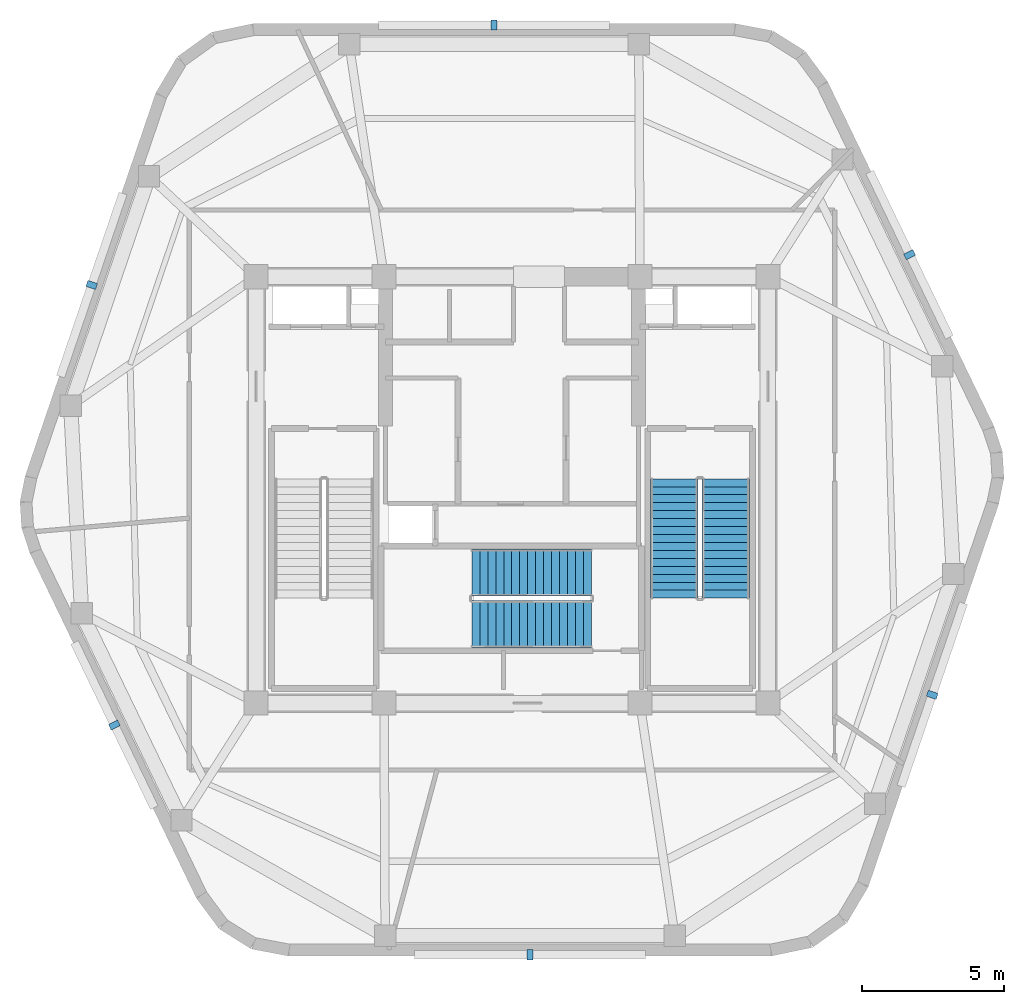
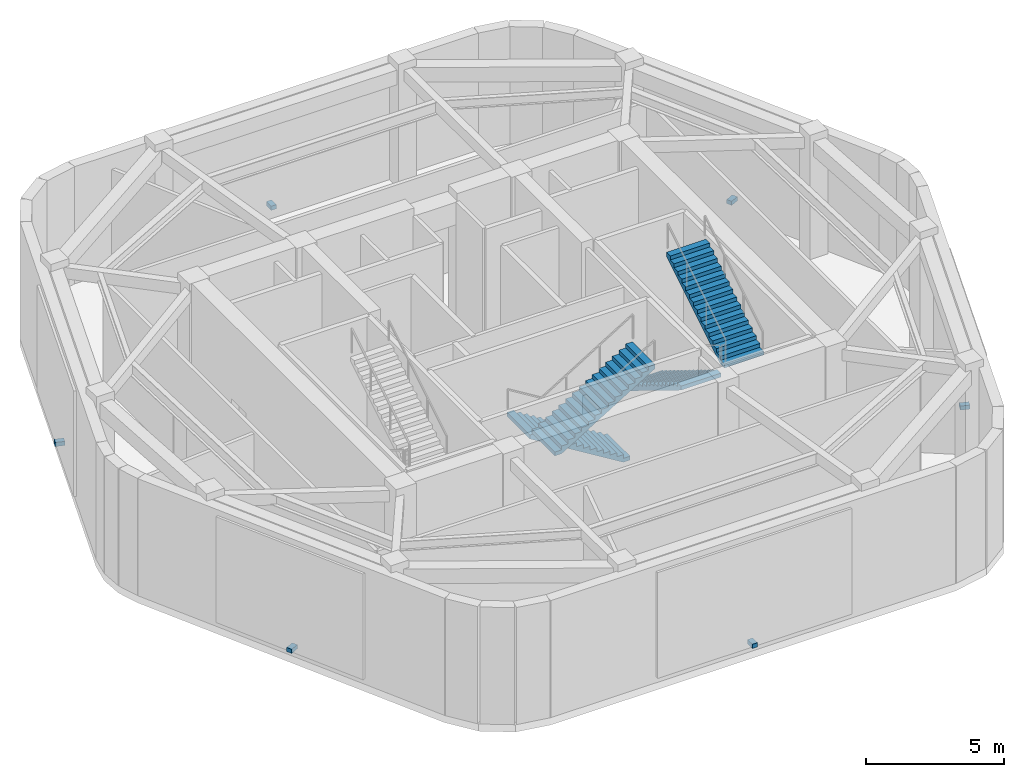
# One storey, part 4 of 6: 6 discrete accessories, 4 stair flights, 2 elements without a shape of their own.
"""IFC4 building model written with IfcOpenShell, lengths in metres."""

from ifc_helpers import new_model, si_unit, direction, frame, origin, origin_2d, place, context, subcontext, project, spatial, polyline, rectangle, outline, extrude, material, type_object, element, aggregate, save


model = new_model("IFC4")

# Units and contexts
model_context = context("Model", 3, precision=1e-05, world=origin(), true_north=direction((0.0, 1.0)))
body_context = subcontext(model_context, "Body", "Model", "MODEL_VIEW")
ifc_project = project(units=[si_unit("LENGTHUNIT", "METRE"), si_unit("AREAUNIT", "SQUARE_METRE"), si_unit("VOLUMEUNIT", "CUBIC_METRE"), si_unit("PLANEANGLEUNIT", "RADIAN"), si_unit("MASSUNIT", "GRAM", prefix="KILO")], contexts=[model_context])

# Site, building, storey
site_placement = place(None, origin())
site = spatial("IfcSite", under=ifc_project, at=site_placement, CompositionType="ELEMENT")
building_placement = place(site_placement, origin())
building = spatial("IfcBuilding", under=site, at=building_placement, Name="Kilnhurst Terrace Hotel", CompositionType="ELEMENT")
storey_placement = place(building_placement, frame((0.0, 0.0, 310.39990234375)))
storey = spatial("IfcBuildingStorey", under=building, at=storey_placement, Name="L77", CompositionType="ELEMENT", Elevation=310.39990234375)

# Stair, stair flights
ifc_material_1 = material(Name="Concrete C50/60", Category="concrete")
stair_type = type_object("IfcStairType", Name="STR-CORE-1660", PredefinedType="HALF_TURN_STAIR", material=ifc_material_1)
stair_1_placement = place(storey_placement, origin())
stair_1 = element("IfcStair", 1, at=stair_1_placement, inside=storey, type_object=stair_type, Name="L77 ST-2", PredefinedType="HALF_TURN_STAIR")
stair_flight_type = type_object("IfcStairFlightType", Name="FLT-RC-1660", PredefinedType="STRAIGHT", material=ifc_material_1)
stair_flight_1_placement = place(storey_placement, frame((5.7099609375, 0.389892578125, 0.0), z_axis=(0.0, 0.0, 1.0), x_axis=(0.0, -1.0, 0.0)))
stair_flight_1 = element("IfcStairFlight", 2, at=stair_flight_1_placement, type_object=stair_flight_type, Name="ST-2 flight 1", NumberOfRisers=16, NumberOfTreads=15, PredefinedType="STRAIGHT", RiserHeight=0.171875, TreadLength=0.28, context=body_context, shape_type="SweptSolid", body=[
    extrude(outline(polyline([(0.0, 0.0), (0.0, 0.171875), (0.280029296875, 0.171875), (0.280029296875, 0.34375), (0.56005859375, 0.34375), (0.56005859375, 0.515625), (0.840087890625, 0.515625), (0.840087890625, 0.6875), (1.1201171875, 0.6875), (1.1201171875, 0.859375), (1.39990234375, 0.859375), (1.39990234375, 1.03125), (1.679931640625, 1.03125), (1.679931640625, 1.203125), (1.9599609375, 1.203125), (1.9599609375, 1.375), (2.239990234375, 1.375), (2.239990234375, 1.546875), (2.52001953125, 1.546875), (2.52001953125, 1.71875), (2.800048828125, 1.71875), (2.800048828125, 1.890625), (3.080078125, 1.890625), (3.080078125, 2.0625), (3.360107421875, 2.0625), (3.360107421875, 2.234375), (3.639892578125, 2.234375), (3.639892578125, 2.40625), (3.919921875, 2.40625), (3.919921875, 2.578125), (4.199951171875, 2.578125), (4.199951171875, 2.75), (4.199951171875, 2.40234375), (0.28662109375, 0.0), (0.0, 0.0)])), frame((0.0, 0.830078125, 0.0), z_axis=(0.0, -1.0, 0.0), x_axis=(1.0, 0.0, 0.0)), (0.0, 0.0, 1.0), 1.659912109375),
])
stair_flight_2_placement = place(storey_placement, frame((7.52001953125, -3.81005859375, 2.75), z_axis=(0.0, 0.0, 1.0), x_axis=(0.0, 1.0, 0.0)))
stair_flight_2 = element("IfcStairFlight", 3, at=stair_flight_2_placement, type_object=stair_flight_type, Name="ST-2 flight 2", NumberOfRisers=16, NumberOfTreads=15, PredefinedType="STRAIGHT", RiserHeight=0.171875, TreadLength=0.28, context=body_context, shape_type="SweptSolid", body=[
    extrude(outline(polyline([(0.0, 0.0), (0.0, 0.171875), (0.280029296875, 0.171875), (0.280029296875, 0.34375), (0.56005859375, 0.34375), (0.56005859375, 0.515625), (0.840087890625, 0.515625), (0.840087890625, 0.6875), (1.1201171875, 0.6875), (1.1201171875, 0.859375), (1.39990234375, 0.859375), (1.39990234375, 1.03125), (1.679931640625, 1.03125), (1.679931640625, 1.203125), (1.9599609375, 1.203125), (1.9599609375, 1.375), (2.239990234375, 1.375), (2.239990234375, 1.546875), (2.52001953125, 1.546875), (2.52001953125, 1.71875), (2.800048828125, 1.71875), (2.800048828125, 1.890625), (3.080078125, 1.890625), (3.080078125, 2.0625), (3.360107421875, 2.0625), (3.360107421875, 2.234375), (3.639892578125, 2.234375), (3.639892578125, 2.40625), (3.919921875, 2.40625), (3.919921875, 2.578125), (4.199951171875, 2.578125), (4.199951171875, 2.75), (4.199951171875, 2.40234375), (0.28662109375, 0.0), (0.0, 0.0)])), frame((0.0, 0.830078125, 0.0), z_axis=(0.0, -1.0, 0.0), x_axis=(1.0, 0.0, 0.0)), (0.0, 0.0, 1.0), 1.659912109375),
])
aggregate(stair_1, [stair_flight_1, stair_flight_2])

stair_2_placement = place(storey_placement, origin())
stair_2 = element("IfcStair", 4, at=stair_2_placement, inside=storey, type_object=stair_type, Name="L77 ST-3", PredefinedType="HALF_TURN_STAIR")
stair_flight_3_placement = place(storey_placement, frame((2.7900390625, -2.909912109375, 0.0), z_axis=(0.0, 0.0, 1.0), x_axis=(-1.0, 0.0, 0.0)))
stair_flight_3 = element("IfcStairFlight", 5, at=stair_flight_3_placement, type_object=stair_flight_type, Name="ST-3 flight 1", NumberOfRisers=16, NumberOfTreads=15, PredefinedType="STRAIGHT", RiserHeight=0.171875, TreadLength=0.28, context=body_context, shape_type="SweptSolid", body=[
    extrude(outline(polyline([(0.0, 0.0), (0.0, 0.171875), (0.280029296875, 0.171875), (0.280029296875, 0.34375), (0.56005859375, 0.34375), (0.56005859375, 0.515625), (0.840087890625, 0.515625), (0.840087890625, 0.6875), (1.1201171875, 0.6875), (1.1201171875, 0.859375), (1.39990234375, 0.859375), (1.39990234375, 1.03125), (1.679931640625, 1.03125), (1.679931640625, 1.203125), (1.9599609375, 1.203125), (1.9599609375, 1.375), (2.239990234375, 1.375), (2.239990234375, 1.546875), (2.52001953125, 1.546875), (2.52001953125, 1.71875), (2.800048828125, 1.71875), (2.800048828125, 1.890625), (3.080078125, 1.890625), (3.080078125, 2.0625), (3.360107421875, 2.0625), (3.360107421875, 2.234375), (3.639892578125, 2.234375), (3.639892578125, 2.40625), (3.919921875, 2.40625), (3.919921875, 2.578125), (4.199951171875, 2.578125), (4.199951171875, 2.75), (4.199951171875, 2.40234375), (0.28662109375, 0.0), (0.0, 0.0)])), frame((0.0, 0.830078125, 0.0), z_axis=(0.0, -1.0, 0.0), x_axis=(1.0, 0.0, 0.0)), (0.0, 0.0, 1.0), 1.659912109375),
])
stair_flight_4_placement = place(storey_placement, frame((-1.409912109375, -4.719970703125, 2.75), z_axis=(0.0, 0.0, 1.0), x_axis=(1.0, 0.0, 0.0)))
stair_flight_4 = element("IfcStairFlight", 6, at=stair_flight_4_placement, type_object=stair_flight_type, Name="ST-3 flight 2", NumberOfRisers=16, NumberOfTreads=15, PredefinedType="STRAIGHT", RiserHeight=0.171875, TreadLength=0.28, context=body_context, shape_type="SweptSolid", body=[
    extrude(outline(polyline([(0.0, 0.0), (0.0, 0.171875), (0.280029296875, 0.171875), (0.280029296875, 0.34375), (0.56005859375, 0.34375), (0.56005859375, 0.515625), (0.840087890625, 0.515625), (0.840087890625, 0.6875), (1.1201171875, 0.6875), (1.1201171875, 0.859375), (1.39990234375, 0.859375), (1.39990234375, 1.03125), (1.679931640625, 1.03125), (1.679931640625, 1.203125), (1.9599609375, 1.203125), (1.9599609375, 1.375), (2.239990234375, 1.375), (2.239990234375, 1.546875), (2.52001953125, 1.546875), (2.52001953125, 1.71875), (2.800048828125, 1.71875), (2.800048828125, 1.890625), (3.080078125, 1.890625), (3.080078125, 2.0625), (3.360107421875, 2.0625), (3.360107421875, 2.234375), (3.639892578125, 2.234375), (3.639892578125, 2.40625), (3.919921875, 2.40625), (3.919921875, 2.578125), (4.199951171875, 2.578125), (4.199951171875, 2.75), (4.199951171875, 2.40234375), (0.28662109375, 0.0), (0.0, 0.0)])), frame((0.0, 0.830078125, 0.0), z_axis=(0.0, -1.0, 0.0), x_axis=(1.0, 0.0, 0.0)), (0.0, 0.0, 1.0), 1.659912109375),
])
aggregate(stair_2, [stair_flight_3, stair_flight_4])

# Discrete accessories
ifc_material_2 = material(Name="Galvanized Steel ASTM A572 Grade 50", Category="steel")
discrete_accessory_type = type_object("IfcDiscreteAccessoryType", Name="ACC-BRK-STL", PredefinedType="BRACKET", material=ifc_material_2)
for number, where, z_axis, x_axis, name in (
    (7, (0.632568359375, -16.35009765625, 0.2099609375), (0.0, 0.0, 1.0), (1.0, 0.0, 0.0), "L77 Storm Louvre Support Bracket SHD-L77-LVR-F1"),
    (8, (14.783447265625, -7.208251953125, 0.2099609375), (0.0, 0.0, 1.0), (0.322546557531, 0.946553600292, 0.0), "L77 Storm Louvre Support Bracket SHD-L77-LVR-F2"),
    (9, (13.98681640625, 8.273193359375, 0.2099609375), (0.0, 0.0, 1.0), (-0.434665326531, 0.900592057433, 0.0), "L77 Storm Louvre Support Bracket SHD-L77-LVR-F3"),
    (10, (-0.632568359375, 16.35009765625, 0.2099609375), (0.0, 0.0, 1.0), (-1.0, 0.0, 0.0), "L77 Storm Louvre Support Bracket SHD-L77-LVR-F4"),
    (11, (-14.783447265625, 7.208251953125, 0.2099609375), (0.0, 0.0, 1.0), (-0.322546557531, -0.946553600292, 0.0), "L77 Storm Louvre Support Bracket SHD-L77-LVR-F5"),
    (12, (-13.98681640625, -8.273193359375, 0.2099609375), (0.0, 0.0, 1.0), (0.434665326531, -0.900592057433, 0.0), "L77 Storm Louvre Support Bracket SHD-L77-LVR-F6"),
):
    element("IfcDiscreteAccessory", number, at=place(storey_placement, frame(where, z_axis=z_axis, x_axis=x_axis)), inside=storey, type_object=discrete_accessory_type, Name=name, PredefinedType="BRACKET", context=body_context, shape_type="SweptSolid", body=[
        extrude(rectangle(XDim=0.219970703125, YDim=0.360107421875, at=origin_2d()), origin(), (0.0, 0.0, 1.0), 0.179931640625),
    ])

save(model, "model.ifc")
